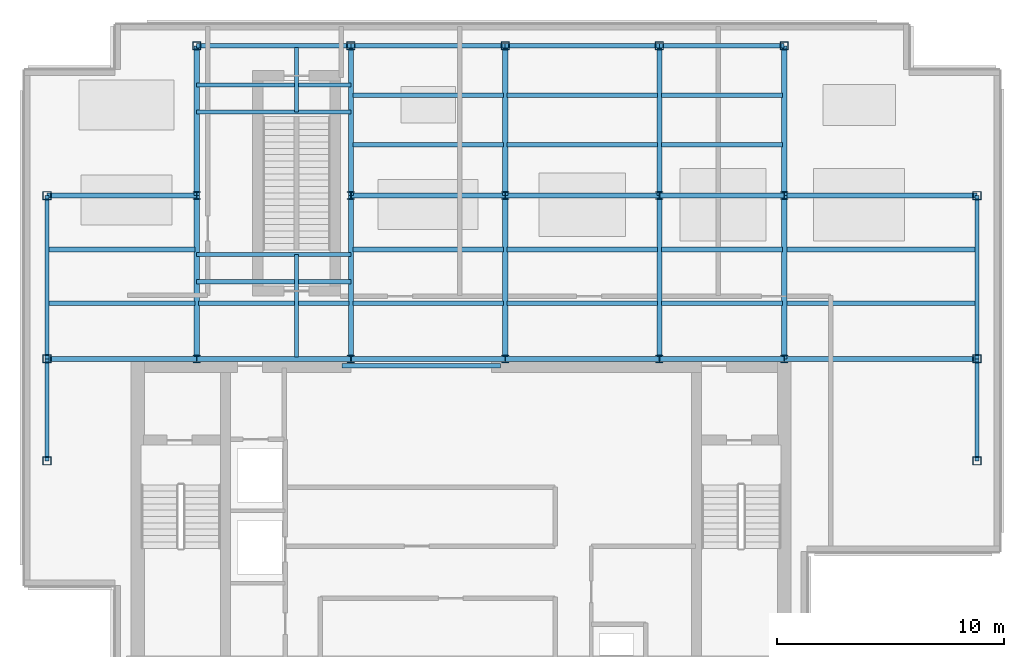
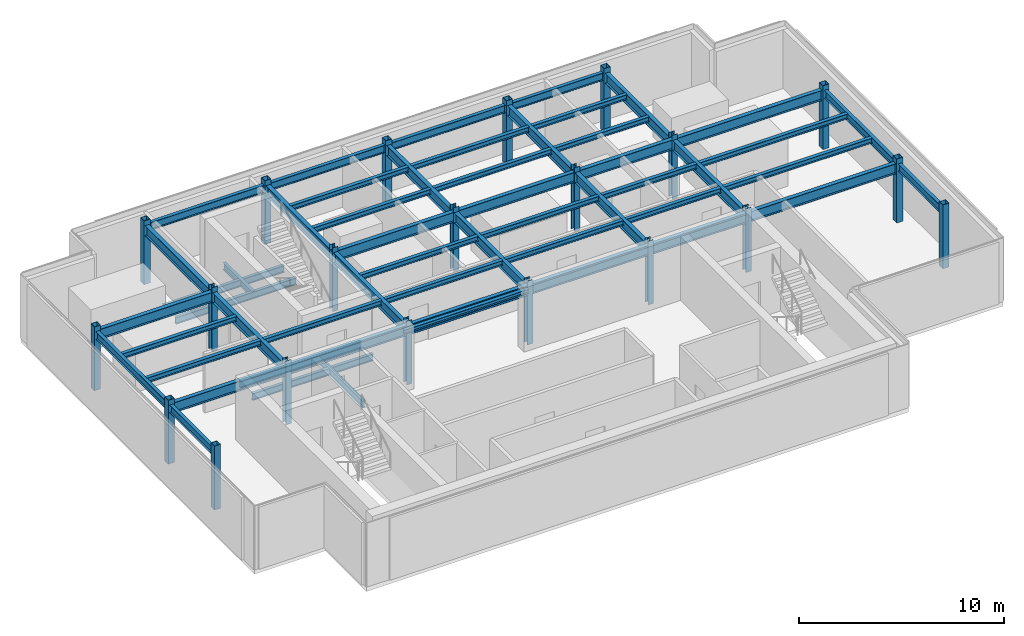
# One storey, part 1 of 7: 53 beams, 21 columns.
"""IFC4 building model written with IfcOpenShell, lengths in metres."""

import ifcopenshell
import ifcopenshell.guid

model = None  # the IFC model being written
_history = None  # IfcOwnerHistory: only IFC2X3 demands one
_inside = {}  # id of a spatial element -> (the spatial element, [elements in it])
_under = {}  # id of a project, library or spatial element -> (it, [spatial elements below it])
_declared = {}  # id of a project -> (the project, [libraries it declares])
_typed = {}  # id of a type object -> (the type object, [elements of that type])
_made_of = {}  # id of a material, layer set ... -> (it, [elements and type objects made of it])


def new_model(schema):
    """Start an empty IFC model of exactly this schema.

    Asked for "IFC4X3", IfcOpenShell would pick the latest addendum, in which some entities
    have other attributes; the version numbers below select the first issue.
    IFC2X3 requires an IfcOwnerHistory on every rooted entity: one is made here for all.
    """
    global model, _history
    if schema == "IFC4X3":
        model = ifcopenshell.file(schema_version=(4, 3, 0, 0))
    else:
        model = ifcopenshell.file(schema=schema)
    _inside.clear()
    _under.clear()
    _declared.clear()
    _typed.clear()
    _made_of.clear()
    _history = None
    if model.schema == "IFC2X3":
        org = make("IfcOrganization", Name="unknown")
        user = make(
            "IfcPersonAndOrganization",
            ThePerson=make("IfcPerson", FamilyName="unknown"),
            TheOrganization=org,
        )
        app = make(
            "IfcApplication",
            ApplicationDeveloper=org,
            Version="unknown",
            ApplicationFullName="unknown",
            ApplicationIdentifier="unknown",
        )
        _history = make(
            "IfcOwnerHistory",
            OwningUser=user,
            OwningApplication=app,
            ChangeAction="ADDED",
            CreationDate=0,
        )
    return model


def make(cls, **values):
    """One entity of the class cls with the attributes given. An attribute that is None is left unset."""
    return model.create_entity(
        cls, **{name: value for name, value in values.items() if value is not None}
    )


def rooted(cls, **values):
    """An entity with a GlobalId (a new one), such as an element, a storey or a relation."""
    return make(cls, GlobalId=ifcopenshell.guid.new(), OwnerHistory=_history, **values)


def si_unit(unit_type, name, prefix=None):
    """IfcSIUnit, for example si_unit("LENGTHUNIT", "METRE", prefix="MILLI")."""
    return make("IfcSIUnit", UnitType=unit_type, Prefix=prefix, Name=name)


def derived_unit(unit_type, elements):
    """IfcDerivedUnit: a product of units, each with its exponent."""
    return make(
        "IfcDerivedUnit",
        Elements=[
            make("IfcDerivedUnitElement", Unit=unit, Exponent=power)
            for unit, power in elements
        ],
        UnitType=unit_type,
    )


def assignment(units):
    """IfcUnitAssignment: the units of a project."""
    return None if units is None else make("IfcUnitAssignment", Units=units)


def point(xyz):
    """IfcCartesianPoint."""
    return None if xyz is None else make("IfcCartesianPoint", Coordinates=xyz)


def direction(xyz):
    """IfcDirection."""
    return None if xyz is None else make("IfcDirection", DirectionRatios=xyz)


def frame(location, z_axis=None, x_axis=None):
    """IfcAxis2Placement3D, a coordinate frame: its origin and axes. An axis left out is left unset."""
    return make(
        "IfcAxis2Placement3D",
        Location=point(location),
        Axis=direction(z_axis),
        RefDirection=direction(x_axis),
    )


def frame_2d(location, x_axis=None):
    """IfcAxis2Placement2D, a coordinate frame in the plane: its origin and x axis."""
    return make(
        "IfcAxis2Placement2D", Location=point(location), RefDirection=direction(x_axis)
    )


def origin():
    """The frame at (0, 0, 0) with its axes left unset."""
    return frame((0.0, 0.0, 0.0))


def origin_2d():
    """The frame at (0, 0) in the plane with its x axis left unset."""
    return frame_2d((0.0, 0.0))


def place(relative_to, where):
    """IfcLocalPlacement: puts the frame where relative to a parent placement (None: the world)."""
    return make(
        "IfcLocalPlacement", PlacementRelTo=relative_to, RelativePlacement=where
    )


def context(
    kind, dimensions, precision=None, world=None, true_north=None, identifier=None
):
    """IfcGeometricRepresentationContext, for example the 3D "Model" context."""
    return make(
        "IfcGeometricRepresentationContext",
        ContextIdentifier=identifier,
        ContextType=kind,
        CoordinateSpaceDimension=dimensions,
        Precision=precision,
        WorldCoordinateSystem=world,
        TrueNorth=true_north,
    )


def subcontext(parent, identifier, kind, view, scale=None):
    """IfcGeometricRepresentationSubContext, for example "Body" below "Model"."""
    return make(
        "IfcGeometricRepresentationSubContext",
        ContextIdentifier=identifier,
        ContextType=kind,
        ParentContext=parent,
        TargetScale=scale,
        TargetView=view,
    )


def project(units=None, contexts=None):
    """IfcProject with its units and contexts."""
    return rooted(
        "IfcProject",
        Name="project",
        RepresentationContexts=contexts,
        UnitsInContext=assignment(units),
    )


def spatial(cls, under=None, at=None, **own):
    """A site, building, storey or space (cls), placed at a placement, below another one or the project."""
    s = rooted(cls, ObjectPlacement=at, **own)
    if under is not None:
        _under.setdefault(under.id(), (under, []))[1].append(s)
    return s


def profile(cls, at=None, kind="AREA", **sizes):
    """A parametric profile (cls). Its sizes go by their IFC names, for example OverallWidth=200.0."""
    return make(cls, ProfileType=kind, Position=at, **sizes)


def hollow_rectangle(**sizes):
    """IfcRectangleHollowProfileDef."""
    return profile("IfcRectangleHollowProfileDef", **sizes)


def i_section(**sizes):
    """IfcIShapeProfileDef."""
    return profile("IfcIShapeProfileDef", **sizes)


def extrude(swept, where, along, depth):
    """IfcExtrudedAreaSolid: the profile swept, set in the frame where, extruded along a direction by depth."""
    return make(
        "IfcExtrudedAreaSolid",
        SweptArea=swept,
        Position=where,
        ExtrudedDirection=direction(along),
        Depth=depth,
    )


def shape(context_of_items, identifier, shape_type, items):
    """IfcShapeRepresentation: the items that make up one representation, for example the "Body"."""
    return make(
        "IfcShapeRepresentation",
        ContextOfItems=context_of_items,
        RepresentationIdentifier=identifier,
        RepresentationType=shape_type,
        Items=items,
    )


def source(mapping_origin, context_of_items, identifier, shape_type, items):
    """IfcRepresentationMap: a shape defined once, which mapped items show again and again."""
    return make(
        "IfcRepresentationMap",
        MappingOrigin=mapping_origin,
        MappedRepresentation=shape(context_of_items, identifier, shape_type, items),
    )


def transform(
    local_origin,
    x_axis=None,
    y_axis=None,
    z_axis=None,
    scale=None,
    scale2=None,
    scale3=None,
    uniform=True,
):
    """IfcCartesianTransformationOperator3D, or its non-uniform kind. x_axis, y_axis, z_axis: its Axis1, 2, 3."""
    if uniform:
        return make(
            "IfcCartesianTransformationOperator3D",
            Axis1=direction(x_axis),
            Axis2=direction(y_axis),
            LocalOrigin=point(local_origin),
            Scale=scale,
            Axis3=direction(z_axis),
        )
    return make(
        "IfcCartesianTransformationOperator3DnonUniform",
        Axis1=direction(x_axis),
        Axis2=direction(y_axis),
        LocalOrigin=point(local_origin),
        Scale=scale,
        Axis3=direction(z_axis),
        Scale2=scale2,
        Scale3=scale3,
    )


def mapped(mapping_source, mapping_target):
    """IfcMappedItem: shows the shape of a source again, moved by a transform."""
    return make(
        "IfcMappedItem", MappingSource=mapping_source, MappingTarget=mapping_target
    )


def material(Name=None, Category=None):
    """IfcMaterial."""
    return make("IfcMaterial", Name=Name, Category=Category)


def material_profile(
    of_material, cross_section, Name=None, Category=None, Priority=None
):
    """IfcMaterialProfile: a cross section and its material."""
    return make(
        "IfcMaterialProfile",
        Name=Name,
        Material=of_material,
        Profile=cross_section,
        Priority=Priority,
        Category=Category,
    )


def profile_set(profiles, Name=None, composite=None):
    """IfcMaterialProfileSet."""
    return make(
        "IfcMaterialProfileSet",
        Name=Name,
        MaterialProfiles=profiles,
        CompositeProfile=composite,
    )


def made_of(thing, what):
    """Note that an element or type object is made of a material, layer set ...; save() writes the relation."""
    if what is not None:
        _made_of.setdefault(what.id(), (what, []))[1].append(thing)
    return thing


def type_object(cls, material=None, **own):
    """A type object (cls), such as IfcWallType, which elements share."""
    return made_of(rooted(cls, **own), material)


def element(
    cls,
    number,
    at=None,
    inside=None,
    cuts=None,
    type_object=None,
    material=None,
    context=None,
    identifier="Body",
    shape_type=None,
    held_by="IfcProductDefinitionShape",
    body=None,
    shapes=None,
    **own,
):
    """One element of the class cls, such as IfcWall. Its Tag is "e" and its number.

    at: its placement. inside: the storey or other place that contains it. cuts: it is an
    opening in that element (IfcRelVoidsElement). A single representation is given by context,
    identifier, shape_type and body (its items); several are given by shapes. held_by: the class
    of the entity that holds the representations. save() writes the other relations.
    """
    e = rooted(cls, Tag="e%d" % number, ObjectPlacement=at, **own)
    if body is not None:
        shapes = [shape(context, identifier, shape_type, body)]
    if shapes is not None:
        e.Representation = make(held_by, Representations=shapes)
    if inside is not None:
        _inside.setdefault(inside.id(), (inside, []))[1].append(e)
    if cuts is not None:
        rooted(
            "IfcRelVoidsElement", RelatingBuildingElement=cuts, RelatedOpeningElement=e
        )
    if type_object is not None:
        _typed.setdefault(type_object.id(), (type_object, []))[1].append(e)
    return made_of(e, material)


def aggregate(whole, parts):
    """IfcRelAggregates: a whole, such as a stair, and the parts it consists of."""
    return rooted("IfcRelAggregates", RelatingObject=whole, RelatedObjects=parts)


def save(model, path):
    """Write the relations noted so far, then the file.

    IfcRelAggregates (storeys below a building ...), IfcRelContainedInSpatialStructure (elements
    in a storey), IfcRelDefinesByType, IfcRelAssociatesMaterial and IfcRelDeclares: one each for
    every whole, place, type object, material and project.
    """
    for whole, parts in _under.values():
        aggregate(whole, parts)
    for where, things in _inside.values():
        rooted(
            "IfcRelContainedInSpatialStructure",
            RelatedElements=things,
            RelatingStructure=where,
        )
    for kind, things in _typed.values():
        rooted("IfcRelDefinesByType", RelatedObjects=things, RelatingType=kind)
    for what, things in _made_of.values():
        rooted("IfcRelAssociatesMaterial", RelatedObjects=things, RelatingMaterial=what)
    for by, libraries in _declared.values():
        rooted("IfcRelDeclares", RelatingContext=by, RelatedDefinitions=libraries)
    model.write(path)


model = new_model("IFC4")

# Units and contexts
model_context = context("Model", 3, precision=1e-05, world=origin(), true_north=direction((0.0, 1.0)))
body_context = subcontext(model_context, "Body", "Model", "MODEL_VIEW")
ifc_project = project(units=[si_unit("LENGTHUNIT", "METRE"), si_unit("AREAUNIT", "SQUARE_METRE"), si_unit("VOLUMEUNIT", "CUBIC_METRE"), si_unit("PLANEANGLEUNIT", "RADIAN"), si_unit("MASSUNIT", "GRAM", prefix="KILO"), derived_unit("THERMALTRANSMITTANCEUNIT", [(si_unit("POWERUNIT", "WATT"), 1), (si_unit("LENGTHUNIT", "METRE"), -2), (si_unit("THERMODYNAMICTEMPERATUREUNIT", "KELVIN"), -1)])], contexts=[model_context])

# Site, building, storey
site_placement = place(None, origin())
site = spatial("IfcSite", under=ifc_project, at=site_placement, CompositionType="ELEMENT")
building_placement = place(site_placement, origin())
building = spatial("IfcBuilding", under=site, at=building_placement, Name="Skarnbrae Concourse Arena and Tower", CompositionType="ELEMENT")
storey_placement = place(building_placement, frame((0.0, 0.0, 303.64990234375)))
storey = spatial("IfcBuildingStorey", under=building, at=storey_placement, Name="L79", CompositionType="ELEMENT", Elevation=303.64990234375)

# Columns
ifc_material = material(Name="Steel CSA G40.21 350W", Category="steel")
ifc_material_profile_1 = material_profile(ifc_material, hollow_rectangle(XDim=0.355712890625, YDim=0.355712890625, WallThickness=0.01904296875, at=origin_2d()), Name="HSS356X356X19.0")
ifc_profile_set_1 = profile_set([ifc_material_profile_1], Name="Steel CSA G40.21 350W")
column_type_1 = type_object("IfcColumnType", Name="COL-CROWN-HSS356", PredefinedType="COLUMN", material=ifc_profile_set_1)
shared_shape_1 = source(origin(), body_context, "Body", "SweptSolid", [
    extrude(hollow_rectangle(XDim=0.355712890625, YDim=0.355712890625, WallThickness=0.01904296875, at=origin_2d()), origin(), (0.0, 0.0, 1.0), 3.800048828125),
])
for number, where, z_axis, x_axis, name in (
    (1, (1.0, 9.5, 0.0), (0.0, 0.0, 1.0), (1.0, 0.0, 0.0), "L79 Tower column PC_01_01"),
    (2, (1.0, 14.0, 0.0), (0.0, 0.0, 1.0), (1.0, 0.0, 0.0), "L79 Tower column PC_01_02"),
    (3, (1.0, 21.199951171875, 0.0), (0.0, 0.0, 1.0), (1.0, 0.0, 0.0), "L79 Tower column PC_01_03"),
    (4, (7.60009765625, 27.800048828125, 0.0), (0.0, 0.0, 1.0), (1.0, 0.0, 0.0), "L79 Tower column PC_02_04"),
    (5, (14.39990234375, 27.800048828125, 0.0), (0.0, 0.0, 1.0), (1.0, 0.0, 0.0), "L79 Tower column PC_03_04"),
    (6, (21.199951171875, 27.800048828125, 0.0), (0.0, 0.0, 1.0), (1.0, 0.0, 0.0), "L79 Tower column PC_04_04"),
    (7, (28.0, 27.800048828125, 0.0), (0.0, 0.0, 1.0), (1.0, 0.0, 0.0), "L79 Tower column PC_05_04"),
    (8, (33.5, 27.800048828125, 0.0), (0.0, 0.0, 1.0), (1.0, 0.0, 0.0), "L79 Tower column PC_06_04"),
    (9, (42.0, 9.5, 0.0), (0.0, 0.0, 1.0), (1.0, 0.0, 0.0), "L79 Tower column PC_07_01"),
    (10, (42.0, 14.0, 0.0), (0.0, 0.0, 1.0), (1.0, 0.0, 0.0), "L79 Tower column PC_07_02"),
    (11, (42.0, 21.199951171875, 0.0), (0.0, 0.0, 1.0), (1.0, 0.0, 0.0), "L79 Tower column PC_07_03"),
):
    element("IfcColumn", number, at=place(storey_placement, frame(where, z_axis=z_axis, x_axis=x_axis)), inside=storey, type_object=column_type_1, Name=name, PredefinedType="COLUMN", context=body_context, shape_type="MappedRepresentation", body=[
        mapped(shared_shape_1, transform((0.0, 0.0, 0.0))),
    ])
ifc_material_profile_2 = material_profile(ifc_material, i_section(OverallWidth=0.30908203125, OverallDepth=0.322998046875, WebThickness=0.013916015625, FlangeThickness=0.02294921875, at=origin_2d()), Name="W310X143")
ifc_profile_set_2 = profile_set([ifc_material_profile_2], Name="Steel CSA G40.21 350W")
column_type_2 = type_object("IfcColumnType", Name="COL-INT-W310X143", PredefinedType="COLUMN", material=ifc_profile_set_2)
shared_shape_2 = source(origin(), body_context, "Body", "SweptSolid", [
    extrude(i_section(OverallWidth=0.30908203125, OverallDepth=0.322998046875, WebThickness=0.013916015625, FlangeThickness=0.02294921875, at=origin_2d()), origin(), (0.0, 0.0, 1.0), 3.800048828125),
])
for number, where, z_axis, x_axis, name in (
    (12, (7.60009765625, 14.0, 0.0), (0.0, 0.0, 1.0), (1.0, 0.0, 0.0), "L79 Tower column IC_02_02"),
    (13, (7.60009765625, 21.199951171875, 0.0), (0.0, 0.0, 1.0), (1.0, 0.0, 0.0), "L79 Tower column IC_02_03"),
    (14, (14.39990234375, 14.0, 0.0), (0.0, 0.0, 1.0), (1.0, 0.0, 0.0), "L79 Tower column IC_03_02"),
    (15, (14.39990234375, 21.199951171875, 0.0), (0.0, 0.0, 1.0), (1.0, 0.0, 0.0), "L79 Tower column IC_03_03"),
    (16, (21.199951171875, 14.0, 0.0), (0.0, 0.0, 1.0), (1.0, 0.0, 0.0), "L79 Tower column IC_04_02"),
    (17, (21.199951171875, 21.199951171875, 0.0), (0.0, 0.0, 1.0), (1.0, 0.0, 0.0), "L79 Tower column IC_04_03"),
    (18, (28.0, 14.0, 0.0), (0.0, 0.0, 1.0), (1.0, 0.0, 0.0), "L79 Tower column IC_05_02"),
    (19, (28.0, 21.199951171875, 0.0), (0.0, 0.0, 1.0), (1.0, 0.0, 0.0), "L79 Tower column IC_05_03"),
    (20, (33.5, 14.0, 0.0), (0.0, 0.0, 1.0), (1.0, 0.0, 0.0), "L79 Tower column IC_06_02"),
    (21, (33.5, 21.199951171875, 0.0), (0.0, 0.0, 1.0), (1.0, 0.0, 0.0), "L79 Tower column IC_06_03"),
):
    element("IfcColumn", number, at=place(storey_placement, frame(where, z_axis=z_axis, x_axis=x_axis)), inside=storey, type_object=column_type_2, Name=name, PredefinedType="COLUMN", context=body_context, shape_type="MappedRepresentation", body=[
        mapped(shared_shape_2, transform((0.0, 0.0, 0.0))),
    ])

# Beams
ifc_material_profile_3 = material_profile(ifc_material, i_section(OverallWidth=0.202880859375, OverallDepth=0.251953125, WebThickness=0.008056640625, FlangeThickness=0.013427734375, at=origin_2d()), Name="W250X58")
ifc_profile_set_3 = profile_set([ifc_material_profile_3], Name="Steel CSA G40.21 350W")
beam_type_1 = type_object("IfcBeamType", Name="BM-LINTEL-W250X58", PredefinedType="LINTEL", material=ifc_profile_set_3)
shared_shape_3 = source(origin(), body_context, "Body", "SweptSolid", [
    extrude(i_section(OverallWidth=0.202880859375, OverallDepth=0.251953125, WebThickness=0.008056640625, FlangeThickness=0.013427734375, at=origin_2d()), origin(), (0.0, 0.0, 1.0), 7.0),
])
beam_1_placement = place(storey_placement, frame((14.0, 13.699951171875, 3.3740234375), z_axis=(1.0, 0.0, 0.0), x_axis=(0.0, 1.0, 0.0)))
element("IfcBeam", 22, at=beam_1_placement, inside=storey, type_object=beam_type_1, Name="L79 Core portal coupling lintel", PredefinedType="LINTEL", context=body_context, shape_type="MappedRepresentation", body=[
    mapped(shared_shape_3, transform((0.0, 0.0, 0.0))),
])
ifc_material_profile_4 = material_profile(ifc_material, i_section(OverallWidth=0.22802734375, OverallDepth=0.60791015625, WebThickness=0.01123046875, FlangeThickness=0.017333984375, at=origin_2d()), Name="W610X113")
ifc_profile_set_4 = profile_set([ifc_material_profile_4], Name="Steel CSA G40.21 350W")
beam_type_2 = type_object("IfcBeamType", Name="BM-GIRD-W610X113", PredefinedType="BEAM", material=ifc_profile_set_4)
shared_shape_4 = source(origin(), body_context, "Body", "SweptSolid", [
    extrude(i_section(OverallWidth=0.22802734375, OverallDepth=0.60791015625, WebThickness=0.01123046875, FlangeThickness=0.017333984375, at=origin_2d()), origin(), (0.0, 0.0, 1.0), 6.60009765625),
])
for number, where, z_axis, x_axis, name in (
    (23, (1.0, 14.0, 3.196044921875), (1.0, 0.0, 0.0), (0.0, 1.0, 0.0), "L79 Primary E-W girder Y14.0-1"),
    (24, (1.0, 21.199951171875, 3.196044921875), (1.0, 0.0, 0.0), (0.0, 1.0, 0.0), "L79 Primary E-W girder Y21.2-1"),
    (25, (7.60009765625, 21.199951171875, 3.196044921875), (0.0, 1.0, 0.0), (-1.0, 0.0, 0.0), "L79 Primary N-S girder X7.6-2"),
    (26, (14.39990234375, 21.199951171875, 3.196044921875), (0.0, 1.0, 0.0), (-1.0, 0.0, 0.0), "L79 Primary N-S girder X14.4-2"),
    (27, (21.199951171875, 21.199951171875, 3.196044921875), (0.0, 1.0, 0.0), (-1.0, 0.0, 0.0), "L79 Primary N-S girder X21.2-2"),
    (28, (28.0, 21.199951171875, 3.196044921875), (0.0, 1.0, 0.0), (-1.0, 0.0, 0.0), "L79 Primary N-S girder X28.0-2"),
    (29, (33.5, 21.199951171875, 3.196044921875), (0.0, 1.0, 0.0), (-1.0, 0.0, 0.0), "L79 Primary N-S girder X33.5-2"),
):
    element("IfcBeam", number, at=place(storey_placement, frame(where, z_axis=z_axis, x_axis=x_axis)), inside=storey, type_object=beam_type_2, Name=name, PredefinedType="BEAM", context=body_context, shape_type="MappedRepresentation", body=[
        mapped(shared_shape_4, transform((0.0, 0.0, 0.0))),
    ])
shared_shape_5 = source(origin(), body_context, "Body", "SweptSolid", [
    extrude(i_section(OverallWidth=0.22802734375, OverallDepth=0.60791015625, WebThickness=0.01123046875, FlangeThickness=0.017333984375, at=origin_2d()), origin(), (0.0, 0.0, 1.0), 6.7998046875),
])
beam_2_placement = place(storey_placement, frame((7.60009765625, 14.0, 3.196044921875), z_axis=(1.0, 0.0, 0.0), x_axis=(0.0, 1.0, 0.0)))
element("IfcBeam", 30, at=beam_2_placement, inside=storey, type_object=beam_type_2, Name="L79 Primary E-W girder Y14.0-2", PredefinedType="BEAM", context=body_context, shape_type="MappedRepresentation", body=[
    mapped(shared_shape_5, transform((0.0, 0.0, 0.0))),
])
shared_shape_6 = source(origin(), body_context, "Body", "SweptSolid", [
    extrude(i_section(OverallWidth=0.22802734375, OverallDepth=0.60791015625, WebThickness=0.01123046875, FlangeThickness=0.017333984375, at=origin_2d()), origin(), (0.0, 0.0, 1.0), 6.800048828125),
])
for number, where, z_axis, x_axis, name in (
    (31, (14.39990234375, 14.0, 3.196044921875), (1.0, 0.0, 0.0), (0.0, 1.0, 0.0), "L79 Primary E-W girder Y14.0-3"),
    (32, (21.199951171875, 14.0, 3.196044921875), (1.0, 0.0, 0.0), (0.0, 1.0, 0.0), "L79 Primary E-W girder Y14.0-4"),
    (33, (14.39990234375, 21.199951171875, 3.196044921875), (1.0, 0.0, 0.0), (0.0, 1.0, 0.0), "L79 Primary E-W girder Y21.2-3"),
    (34, (21.199951171875, 21.199951171875, 3.196044921875), (1.0, 0.0, 0.0), (0.0, 1.0, 0.0), "L79 Primary E-W girder Y21.2-4"),
):
    element("IfcBeam", number, at=place(storey_placement, frame(where, z_axis=z_axis, x_axis=x_axis)), inside=storey, type_object=beam_type_2, Name=name, PredefinedType="BEAM", context=body_context, shape_type="MappedRepresentation", body=[
        mapped(shared_shape_6, transform((0.0, 0.0, 0.0))),
    ])
shared_shape_7 = source(origin(), body_context, "Body", "SweptSolid", [
    extrude(i_section(OverallWidth=0.22802734375, OverallDepth=0.60791015625, WebThickness=0.01123046875, FlangeThickness=0.017333984375, at=origin_2d()), origin(), (0.0, 0.0, 1.0), 5.5),
])
for number, where, z_axis, x_axis, name in (
    (35, (28.0, 14.0, 3.196044921875), (1.0, 0.0, 0.0), (0.0, 1.0, 0.0), "L79 Primary E-W girder Y14.0-5"),
    (36, (28.0, 21.199951171875, 3.196044921875), (1.0, 0.0, 0.0), (0.0, 1.0, 0.0), "L79 Primary E-W girder Y21.2-5"),
):
    element("IfcBeam", number, at=place(storey_placement, frame(where, z_axis=z_axis, x_axis=x_axis)), inside=storey, type_object=beam_type_2, Name=name, PredefinedType="BEAM", context=body_context, shape_type="MappedRepresentation", body=[
        mapped(shared_shape_7, transform((0.0, 0.0, 0.0))),
    ])
shared_shape_8 = source(origin(), body_context, "Body", "SweptSolid", [
    extrude(i_section(OverallWidth=0.22802734375, OverallDepth=0.60791015625, WebThickness=0.01123046875, FlangeThickness=0.017333984375, at=origin_2d()), origin(), (0.0, 0.0, 1.0), 8.5),
])
for number, where, z_axis, x_axis, name in (
    (37, (33.5, 14.0, 3.196044921875), (1.0, 0.0, 0.0), (0.0, 1.0, 0.0), "L79 Primary E-W girder Y14.0-6"),
    (38, (33.5, 21.199951171875, 3.196044921875), (1.0, 0.0, 0.0), (0.0, 1.0, 0.0), "L79 Primary E-W girder Y21.2-6"),
):
    element("IfcBeam", number, at=place(storey_placement, frame(where, z_axis=z_axis, x_axis=x_axis)), inside=storey, type_object=beam_type_2, Name=name, PredefinedType="BEAM", context=body_context, shape_type="MappedRepresentation", body=[
        mapped(shared_shape_8, transform((0.0, 0.0, 0.0))),
    ])
ifc_material_profile_5 = material_profile(ifc_material, i_section(OverallWidth=0.19091796875, OverallDepth=0.4599609375, WebThickness=0.010009765625, FlangeThickness=0.01611328125, at=origin_2d()), Name="W460X82")
ifc_profile_set_5 = profile_set([ifc_material_profile_5], Name="Steel CSA G40.21 350W")
beam_type_3 = type_object("IfcBeamType", Name="BM-SPAN-W460X82", PredefinedType="SPANDREL", material=ifc_profile_set_5)
shared_shape_9 = source(origin(), body_context, "Body", "SweptSolid", [
    extrude(i_section(OverallWidth=0.19091796875, OverallDepth=0.4599609375, WebThickness=0.010009765625, FlangeThickness=0.01611328125, at=origin_2d()), origin(), (0.0, 0.0, 1.0), 6.7998046875),
])
beam_3_placement = place(storey_placement, frame((7.60009765625, 27.800048828125, 3.27001953125), z_axis=(1.0, 0.0, 0.0), x_axis=(0.0, 1.0, 0.0)))
element("IfcBeam", 39, at=beam_3_placement, inside=storey, type_object=beam_type_3, Name="L79 Perimeter spandrel Y27.8-1", PredefinedType="SPANDREL", context=body_context, shape_type="MappedRepresentation", body=[
    mapped(shared_shape_9, transform((0.0, 0.0, 0.0))),
])
shared_shape_10 = source(origin(), body_context, "Body", "SweptSolid", [
    extrude(i_section(OverallWidth=0.19091796875, OverallDepth=0.4599609375, WebThickness=0.010009765625, FlangeThickness=0.01611328125, at=origin_2d()), origin(), (0.0, 0.0, 1.0), 6.800048828125),
])
for number, where, z_axis, x_axis, name in (
    (40, (14.39990234375, 27.800048828125, 3.27001953125), (1.0, 0.0, 0.0), (0.0, 1.0, 0.0), "L79 Perimeter spandrel Y27.8-2"),
    (41, (21.199951171875, 27.800048828125, 3.27001953125), (1.0, 0.0, 0.0), (0.0, 1.0, 0.0), "L79 Perimeter spandrel Y27.8-3"),
):
    element("IfcBeam", number, at=place(storey_placement, frame(where, z_axis=z_axis, x_axis=x_axis)), inside=storey, type_object=beam_type_3, Name=name, PredefinedType="SPANDREL", context=body_context, shape_type="MappedRepresentation", body=[
        mapped(shared_shape_10, transform((0.0, 0.0, 0.0))),
    ])
shared_shape_11 = source(origin(), body_context, "Body", "SweptSolid", [
    extrude(i_section(OverallWidth=0.19091796875, OverallDepth=0.4599609375, WebThickness=0.010009765625, FlangeThickness=0.01611328125, at=origin_2d()), origin(), (0.0, 0.0, 1.0), 5.5),
])
beam_4_placement = place(storey_placement, frame((28.0, 27.800048828125, 3.27001953125), z_axis=(1.0, 0.0, 0.0), x_axis=(0.0, 1.0, 0.0)))
element("IfcBeam", 42, at=beam_4_placement, inside=storey, type_object=beam_type_3, Name="L79 Perimeter spandrel Y27.8-4", PredefinedType="SPANDREL", context=body_context, shape_type="MappedRepresentation", body=[
    mapped(shared_shape_11, transform((0.0, 0.0, 0.0))),
])
shared_shape_12 = source(origin(), body_context, "Body", "SweptSolid", [
    extrude(i_section(OverallWidth=0.19091796875, OverallDepth=0.4599609375, WebThickness=0.010009765625, FlangeThickness=0.01611328125, at=origin_2d()), origin(), (0.0, 0.0, 1.0), 4.5),
])
for number, where, z_axis, x_axis, name in (
    (43, (1.0, 9.5, 3.27001953125), (0.0, 1.0, 0.0), (-1.0, 0.0, 0.0), "L79 Perimeter spandrel X1.0-1"),
    (44, (42.0, 9.5, 3.27001953125), (0.0, 1.0, 0.0), (-1.0, 0.0, 0.0), "L79 Perimeter spandrel X42.0-1"),
):
    element("IfcBeam", number, at=place(storey_placement, frame(where, z_axis=z_axis, x_axis=x_axis)), inside=storey, type_object=beam_type_3, Name=name, PredefinedType="SPANDREL", context=body_context, shape_type="MappedRepresentation", body=[
        mapped(shared_shape_12, transform((0.0, 0.0, 0.0))),
    ])
shared_shape_13 = source(origin(), body_context, "Body", "SweptSolid", [
    extrude(i_section(OverallWidth=0.19091796875, OverallDepth=0.4599609375, WebThickness=0.010009765625, FlangeThickness=0.01611328125, at=origin_2d()), origin(), (0.0, 0.0, 1.0), 7.199951171875),
])
for number, where, z_axis, x_axis, name in (
    (45, (1.0, 14.0, 3.27001953125), (0.0, 1.0, 0.0), (-1.0, 0.0, 0.0), "L79 Perimeter spandrel X1.0-2"),
    (46, (42.0, 14.0, 3.27001953125), (0.0, 1.0, 0.0), (-1.0, 0.0, 0.0), "L79 Perimeter spandrel X42.0-2"),
):
    element("IfcBeam", number, at=place(storey_placement, frame(where, z_axis=z_axis, x_axis=x_axis)), inside=storey, type_object=beam_type_3, Name=name, PredefinedType="SPANDREL", context=body_context, shape_type="MappedRepresentation", body=[
        mapped(shared_shape_13, transform((0.0, 0.0, 0.0))),
    ])
shared_shape_14 = source(origin(), body_context, "Body", "SweptSolid", [
    extrude(i_section(OverallWidth=0.22802734375, OverallDepth=0.60791015625, WebThickness=0.01123046875, FlangeThickness=0.017333984375, at=origin_2d()), origin(), (0.0, 0.0, 1.0), 7.199951171875),
])
for number, where, z_axis, x_axis, name in (
    (47, (7.60009765625, 14.0, 3.196044921875), (0.0, 1.0, 0.0), (-1.0, 0.0, 0.0), "L79 Primary N-S girder X7.6-1"),
    (48, (14.39990234375, 14.0, 3.196044921875), (0.0, 1.0, 0.0), (-1.0, 0.0, 0.0), "L79 Primary N-S girder X14.4-1"),
    (49, (21.199951171875, 14.0, 3.196044921875), (0.0, 1.0, 0.0), (-1.0, 0.0, 0.0), "L79 Primary N-S girder X21.2-1"),
    (50, (28.0, 14.0, 3.196044921875), (0.0, 1.0, 0.0), (-1.0, 0.0, 0.0), "L79 Primary N-S girder X28.0-1"),
    (51, (33.5, 14.0, 3.196044921875), (0.0, 1.0, 0.0), (-1.0, 0.0, 0.0), "L79 Primary N-S girder X33.5-1"),
):
    element("IfcBeam", number, at=place(storey_placement, frame(where, z_axis=z_axis, x_axis=x_axis)), inside=storey, type_object=beam_type_2, Name=name, PredefinedType="BEAM", context=body_context, shape_type="MappedRepresentation", body=[
        mapped(shared_shape_14, transform((0.0, 0.0, 0.0))),
    ])
ifc_material_profile_6 = material_profile(ifc_material, i_section(OverallWidth=0.202880859375, OverallDepth=0.302978515625, WebThickness=0.007568359375, FlangeThickness=0.01318359375, at=origin_2d()), Name="W310X60")
ifc_profile_set_6 = profile_set([ifc_material_profile_6], Name="Steel CSA G40.21 350W")
beam_type_4 = type_object("IfcBeamType", Name="BM-JOIST-W310X60", PredefinedType="JOIST", material=ifc_profile_set_6)
shared_shape_15 = source(origin(), body_context, "Body", "SweptSolid", [
    extrude(i_section(OverallWidth=0.202880859375, OverallDepth=0.302978515625, WebThickness=0.007568359375, FlangeThickness=0.01318359375, at=origin_2d()), origin(), (0.0, 0.0, 1.0), 6.43994140625),
])
for number, where, z_axis, x_axis, name in (
    (52, (1.080078125, 16.447998046875, 3.3486328125), (1.0, 0.0, 0.0), (0.0, 1.0, 0.0), "L79 Secondary floor joist 1.1.1"),
    (53, (1.080078125, 18.823974609375, 3.3486328125), (1.0, 0.0, 0.0), (0.0, 1.0, 0.0), "L79 Secondary floor joist 1.2.1"),
):
    element("IfcBeam", number, at=place(storey_placement, frame(where, z_axis=z_axis, x_axis=x_axis)), inside=storey, type_object=beam_type_4, Name=name, PredefinedType="JOIST", context=body_context, shape_type="MappedRepresentation", body=[
        mapped(shared_shape_15, transform((0.0, 0.0, 0.0))),
    ])
shared_shape_16 = source(origin(), body_context, "Body", "SweptSolid", [
    extrude(i_section(OverallWidth=0.202880859375, OverallDepth=0.302978515625, WebThickness=0.007568359375, FlangeThickness=0.01318359375, at=origin_2d()), origin(), (0.0, 0.0, 1.0), 6.64013671875),
])
for number, where, z_axis, x_axis, name in (
    (54, (7.679931640625, 16.447998046875, 3.3486328125), (1.0, 0.0, 0.0), (0.0, 1.0, 0.0), "L79 Secondary floor joist 1.1.2"),
    (55, (14.47998046875, 16.447998046875, 3.3486328125), (1.0, 0.0, 0.0), (0.0, 1.0, 0.0), "L79 Secondary floor joist 1.1.3"),
    (56, (14.47998046875, 18.823974609375, 3.3486328125), (1.0, 0.0, 0.0), (0.0, 1.0, 0.0), "L79 Secondary floor joist 1.2.3"),
    (57, (14.47998046875, 23.444091796875, 3.3486328125), (1.0, 0.0, 0.0), (0.0, 1.0, 0.0), "L79 Secondary floor joist 2.1.2"),
    (58, (14.47998046875, 25.6220703125, 3.3486328125), (1.0, 0.0, 0.0), (0.0, 1.0, 0.0), "L79 Secondary floor joist 2.2.2"),
):
    element("IfcBeam", number, at=place(storey_placement, frame(where, z_axis=z_axis, x_axis=x_axis)), inside=storey, type_object=beam_type_4, Name=name, PredefinedType="JOIST", context=body_context, shape_type="MappedRepresentation", body=[
        mapped(shared_shape_16, transform((0.0, 0.0, 0.0))),
    ])
shared_shape_17 = source(origin(), body_context, "Body", "SweptSolid", [
    extrude(i_section(OverallWidth=0.202880859375, OverallDepth=0.302978515625, WebThickness=0.007568359375, FlangeThickness=0.01318359375, at=origin_2d()), origin(), (0.0, 0.0, 1.0), 6.639892578125),
])
for number, where, z_axis, x_axis, name in (
    (59, (21.280029296875, 16.447998046875, 3.3486328125), (1.0, 0.0, 0.0), (0.0, 1.0, 0.0), "L79 Secondary floor joist 1.1.4"),
    (60, (21.280029296875, 18.823974609375, 3.3486328125), (1.0, 0.0, 0.0), (0.0, 1.0, 0.0), "L79 Secondary floor joist 1.2.4"),
    (61, (21.280029296875, 23.444091796875, 3.3486328125), (1.0, 0.0, 0.0), (0.0, 1.0, 0.0), "L79 Secondary floor joist 2.1.3"),
    (62, (21.280029296875, 25.6220703125, 3.3486328125), (1.0, 0.0, 0.0), (0.0, 1.0, 0.0), "L79 Secondary floor joist 2.2.3"),
):
    element("IfcBeam", number, at=place(storey_placement, frame(where, z_axis=z_axis, x_axis=x_axis)), inside=storey, type_object=beam_type_4, Name=name, PredefinedType="JOIST", context=body_context, shape_type="MappedRepresentation", body=[
        mapped(shared_shape_17, transform((0.0, 0.0, 0.0))),
    ])
shared_shape_18 = source(origin(), body_context, "Body", "SweptSolid", [
    extrude(i_section(OverallWidth=0.202880859375, OverallDepth=0.302978515625, WebThickness=0.007568359375, FlangeThickness=0.01318359375, at=origin_2d()), origin(), (0.0, 0.0, 1.0), 5.33984375),
])
for number, where, z_axis, x_axis, name in (
    (63, (28.080078125, 16.447998046875, 3.3486328125), (1.0, 0.0, 0.0), (0.0, 1.0, 0.0), "L79 Secondary floor joist 1.1.5"),
    (64, (28.080078125, 18.823974609375, 3.3486328125), (1.0, 0.0, 0.0), (0.0, 1.0, 0.0), "L79 Secondary floor joist 1.2.5"),
    (65, (28.080078125, 23.444091796875, 3.3486328125), (1.0, 0.0, 0.0), (0.0, 1.0, 0.0), "L79 Secondary floor joist 2.1.4"),
    (66, (28.080078125, 25.6220703125, 3.3486328125), (1.0, 0.0, 0.0), (0.0, 1.0, 0.0), "L79 Secondary floor joist 2.2.4"),
):
    element("IfcBeam", number, at=place(storey_placement, frame(where, z_axis=z_axis, x_axis=x_axis)), inside=storey, type_object=beam_type_4, Name=name, PredefinedType="JOIST", context=body_context, shape_type="MappedRepresentation", body=[
        mapped(shared_shape_18, transform((0.0, 0.0, 0.0))),
    ])
shared_shape_19 = source(origin(), body_context, "Body", "SweptSolid", [
    extrude(i_section(OverallWidth=0.202880859375, OverallDepth=0.302978515625, WebThickness=0.007568359375, FlangeThickness=0.01318359375, at=origin_2d()), origin(), (0.0, 0.0, 1.0), 8.33984375),
])
for number, where, z_axis, x_axis, name in (
    (67, (33.580078125, 16.447998046875, 3.3486328125), (1.0, 0.0, 0.0), (0.0, 1.0, 0.0), "L79 Secondary floor joist 1.1.6"),
    (68, (33.580078125, 18.823974609375, 3.3486328125), (1.0, 0.0, 0.0), (0.0, 1.0, 0.0), "L79 Secondary floor joist 1.2.6"),
):
    element("IfcBeam", number, at=place(storey_placement, frame(where, z_axis=z_axis, x_axis=x_axis)), inside=storey, type_object=beam_type_4, Name=name, PredefinedType="JOIST", context=body_context, shape_type="MappedRepresentation", body=[
        mapped(shared_shape_19, transform((0.0, 0.0, 0.0))),
    ])
ifc_material_profile_7 = material_profile(ifc_material, i_section(OverallWidth=0.177978515625, OverallDepth=0.406982421875, WebThickness=0.0078125, FlangeThickness=0.0126953125, at=origin_2d()), Name="W410X60")
ifc_profile_set_7 = profile_set([ifc_material_profile_7], Name="Steel CSA G40.21 350W")
beam_type_5 = type_object("IfcBeamType", Name="BM-JOIST-W410X60", PredefinedType="JOIST", material=ifc_profile_set_7)
shared_shape_20 = source(origin(), body_context, "Body", "SweptSolid", [
    extrude(i_section(OverallWidth=0.177978515625, OverallDepth=0.406982421875, WebThickness=0.0078125, FlangeThickness=0.0126953125, at=origin_2d()), origin(), (0.0, 0.0, 1.0), 6.7998046875),
])
for number, where, z_axis, x_axis, name in (
    (69, (7.60009765625, 17.39990234375, -0.50146484375), (1.0, 0.0, 0.0), (0.0, 1.0, 0.0), "L79 Crown stair ST-CRWN E-W framing beam 1"),
    (70, (7.60009765625, 18.60009765625, -0.50146484375), (1.0, 0.0, 0.0), (0.0, 1.0, 0.0), "L79 Crown stair ST-CRWN E-W framing beam 2"),
    (71, (7.60009765625, 24.8798828125, -0.50146484375), (1.0, 0.0, 0.0), (0.0, 1.0, 0.0), "L79 Crown stair ST-CRWN E-W framing beam 3"),
    (72, (7.60009765625, 26.080078125, -0.50146484375), (1.0, 0.0, 0.0), (0.0, 1.0, 0.0), "L79 Crown stair ST-CRWN E-W framing beam 4"),
):
    element("IfcBeam", number, at=place(storey_placement, frame(where, z_axis=z_axis, x_axis=x_axis)), inside=storey, type_object=beam_type_5, Name=name, PredefinedType="JOIST", context=body_context, shape_type="MappedRepresentation", body=[
        mapped(shared_shape_20, transform((0.0, 0.0, 0.0))),
    ])
shared_shape_21 = source(origin(), body_context, "Body", "SweptSolid", [
    extrude(i_section(OverallWidth=0.177978515625, OverallDepth=0.406982421875, WebThickness=0.0078125, FlangeThickness=0.0126953125, at=origin_2d()), origin(), (0.0, 0.0, 1.0), 4.52001953125),
])
beam_5_placement = place(storey_placement, frame((12.0, 14.080078125, -0.50146484375), z_axis=(0.0, 1.0, 0.0), x_axis=(-1.0, 0.0, 0.0)))
element("IfcBeam", 73, at=beam_5_placement, inside=storey, type_object=beam_type_5, Name="L79 Crown stair ST-CRWN N-S framing beam 1", PredefinedType="JOIST", context=body_context, shape_type="MappedRepresentation", body=[
    mapped(shared_shape_21, transform((0.0, 0.0, 0.0))),
])
shared_shape_22 = source(origin(), body_context, "Body", "SweptSolid", [
    extrude(i_section(OverallWidth=0.177978515625, OverallDepth=0.406982421875, WebThickness=0.0078125, FlangeThickness=0.0126953125, at=origin_2d()), origin(), (0.0, 0.0, 1.0), 2.840087890625),
])
beam_6_placement = place(storey_placement, frame((12.0, 24.8798828125, -0.50146484375), z_axis=(0.0, 1.0, 0.0), x_axis=(-1.0, 0.0, 0.0)))
element("IfcBeam", 74, at=beam_6_placement, inside=storey, type_object=beam_type_5, Name="L79 Crown stair ST-CRWN N-S framing beam 2", PredefinedType="JOIST", context=body_context, shape_type="MappedRepresentation", body=[
    mapped(shared_shape_22, transform((0.0, 0.0, 0.0))),
])

save(model, "model.ifc")
